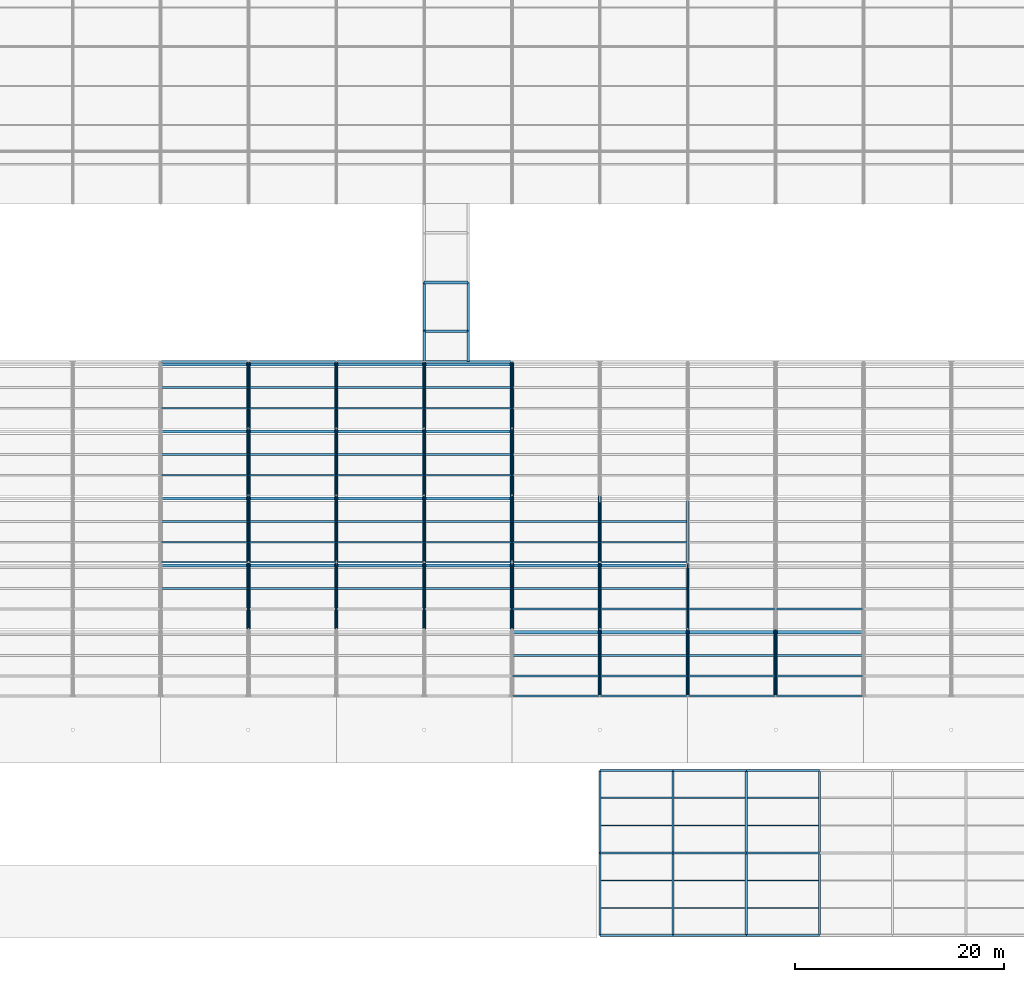
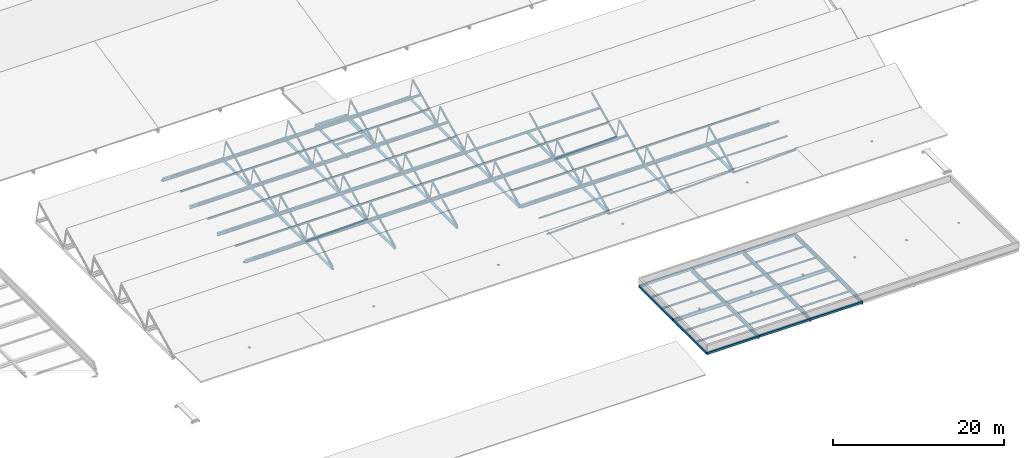
# One storey, part 2 of 194: 107 members, 97 beams.
"""IFC4 building model written with IfcOpenShell, lengths in metres."""

from ifc_helpers import new_model, si_unit, direction, frame, origin, origin_2d, place, context, subcontext, project, spatial, hollow_rectangle, hollow_circle, i_section, extrude, material, material_profile, profile_set, type_object, element, save


model = new_model("IFC4")

# Units and contexts
model_context = context("Model", 3, precision=1e-05, world=origin(), true_north=direction((0.0, 1.0)))
body_context = subcontext(model_context, "Body", "Model", "MODEL_VIEW")
ifc_project = project(units=[si_unit("LENGTHUNIT", "METRE"), si_unit("AREAUNIT", "SQUARE_METRE"), si_unit("VOLUMEUNIT", "CUBIC_METRE"), si_unit("PLANEANGLEUNIT", "RADIAN"), si_unit("MASSUNIT", "GRAM", prefix="KILO")], contexts=[model_context])

# Site, building, storey
site_placement = place(None, origin())
site = spatial("IfcSite", under=ifc_project, at=site_placement, CompositionType="ELEMENT")
building_placement = place(site_placement, origin())
building = spatial("IfcBuilding", under=site, at=building_placement, Name="Kazenagashi Tramway Depot", CompositionType="ELEMENT")
storey_placement = place(building_placement, frame((0.0, 0.0, 23.7)))
storey = spatial("IfcBuildingStorey", under=building, at=storey_placement, Name="ROOF", CompositionType="ELEMENT", Elevation=23.7)

# Members
ifc_material_1 = material(Name="Steel STKR400", Category="steel")
ifc_material_profile_1 = material_profile(ifc_material_1, hollow_rectangle(XDim=0.175, YDim=0.175, WallThickness=0.008, at=origin_2d()), Name="SHS-175x175x8")
ifc_profile_set_1 = profile_set([ifc_material_profile_1], Name="Steel STKR400")
member_type_1 = type_object("IfcMemberType", Name="BR-03", PredefinedType="BRACE", material=ifc_profile_set_1)
for number, where, z_axis, x_axis, name in (
    (1, (61.6, 35.7, -8.9), (0.999362854348, 0.0, 0.035691530512), (0.0, 1.0, 0.0), "Roof Truss BR-03 MEM-1233"),
    (2, (61.6, 54.9, -8.9), (0.999362854348, 0.0, 0.035691530512), (0.0, 1.0, 0.0), "Roof Truss BR-03 MEM-1234"),
    (3, (70.0, 35.7, -8.9), (0.999362854348, 0.0, 0.035691530512), (0.0, 1.0, 0.0), "Roof Truss BR-03 MEM-1262"),
    (4, (70.0, 54.9, -8.9), (0.999362854348, 0.0, 0.035691530512), (0.0, 1.0, 0.0), "Roof Truss BR-03 MEM-1263"),
    (5, (78.4, 35.7, -8.9), (0.999362854348, 0.0, 0.035691530512), (0.0, 1.0, 0.0), "Roof Truss BR-03 MEM-1291"),
    (6, (78.4, 54.9, -8.9), (0.999362854348, 0.0, 0.035691530512), (0.0, 1.0, 0.0), "Roof Truss BR-03 MEM-1292"),
    (7, (86.8, 35.7, -8.9), (0.999362854348, 0.0, 0.035691530512), (0.0, 1.0, 0.0), "Roof Truss BR-03 MEM-1320"),
    (8, (86.8, 54.9, -8.9), (0.999362854348, 0.0, 0.035691530512), (0.0, 1.0, 0.0), "Roof Truss BR-03 MEM-1321"),
    (9, (95.2, 22.9, -8.9), (0.999362854348, 0.0, 0.035691530512), (0.0, 1.0, 0.0), "Roof Truss BR-03 MEM-1348"),
    (10, (95.2, 35.7, -8.9), (0.999362854348, 0.0, 0.035691530512), (0.0, 1.0, 0.0), "Roof Truss BR-03 MEM-1349"),
    (11, (103.6, 22.9, -8.9), (0.999362854348, 0.0, 0.035691530512), (0.0, 1.0, 0.0), "Roof Truss BR-03 MEM-1377"),
    (12, (103.6, 35.7, -8.9), (0.999362854348, 0.0, 0.035691530512), (0.0, 1.0, 0.0), "Roof Truss BR-03 MEM-1378"),
    (13, (112.0, 22.9, -8.9), (0.999362854348, 0.0, 0.035691530512), (0.0, 1.0, 0.0), "Roof Truss BR-03 MEM-1406"),
    (14, (120.4, 22.9, -8.9), (0.999362854348, 0.0, 0.035691530512), (0.0, 1.0, 0.0), "Roof Truss BR-03 MEM-1435"),
):
    element("IfcMember", number, at=place(storey_placement, frame(where, z_axis=z_axis, x_axis=x_axis)), inside=storey, type_object=member_type_1, Name=name, PredefinedType="BRACE", context=body_context, shape_type="SweptSolid", body=[
        extrude(hollow_rectangle(XDim=0.175, YDim=0.175, WallThickness=0.008, at=origin_2d()), origin(), (0.0, 0.0, 1.0), 8.405355),
    ])

# Beams
ifc_material_2 = material(Name="Steel SN490B", Category="steel")
ifc_material_profile_2 = material_profile(ifc_material_2, i_section(OverallWidth=0.2, OverallDepth=0.5, WebThickness=0.01, FlangeThickness=0.016, at=origin_2d()), Name="H-500x200x10x16")
ifc_profile_set_2 = profile_set([ifc_material_profile_2], Name="Steel SN490B")
beam_type_1 = type_object("IfcBeamType", Name="G-05", PredefinedType="BEAM", material=ifc_profile_set_2)
for number, where, z_axis, x_axis, name in (
    (15, (103.6, 7.9, -15.05), (1.0, 0.0, 0.0), (0.0, 1.0, 0.0), "Beam G-05 BM-1651"),
    (16, (110.6, 7.9, -15.05), (1.0, 0.0, 0.0), (0.0, 1.0, 0.0), "Beam G-05 BM-1652"),
    (17, (117.6, 7.9, -15.05), (1.0, 0.0, 0.0), (0.0, 1.0, 0.0), "Beam G-05 BM-1653"),
):
    element("IfcBeam", number, at=place(storey_placement, frame(where, z_axis=z_axis, x_axis=x_axis)), inside=storey, type_object=beam_type_1, Name=name, PredefinedType="BEAM", context=body_context, shape_type="SweptSolid", body=[
        extrude(i_section(OverallWidth=0.2, OverallDepth=0.5, WebThickness=0.01, FlangeThickness=0.016, at=origin_2d()), origin(), (0.0, 0.0, 1.0), 7.0),
    ])
for number, where, z_axis, x_axis, name in (
    (18, (110.6, 0.0, -15.05), (0.0, 1.0, 0.0), (-1.0, 0.0, 0.0), "Beam G-05 BM-1669"),
    (19, (110.6, 7.9, -15.05), (0.0, 1.0, 0.0), (-1.0, 0.0, 0.0), "Beam G-05 BM-1672"),
    (20, (117.6, 0.0, -15.05), (0.0, 1.0, 0.0), (-1.0, 0.0, 0.0), "Beam G-05 BM-1675"),
    (21, (117.6, 7.9, -15.05), (0.0, 1.0, 0.0), (-1.0, 0.0, 0.0), "Beam G-05 BM-1678"),
    (22, (124.6, 0.0, -15.05), (0.0, 1.0, 0.0), (-1.0, 0.0, 0.0), "Beam G-05 BM-1681"),
    (23, (124.6, 7.9, -15.05), (0.0, 1.0, 0.0), (-1.0, 0.0, 0.0), "Beam G-05 BM-1684"),
):
    element("IfcBeam", number, at=place(storey_placement, frame(where, z_axis=z_axis, x_axis=x_axis)), inside=storey, type_object=beam_type_1, Name=name, PredefinedType="BEAM", context=body_context, shape_type="SweptSolid", body=[
        extrude(i_section(OverallWidth=0.2, OverallDepth=0.5, WebThickness=0.01, FlangeThickness=0.016, at=origin_2d()), origin(), (0.0, 0.0, 1.0), 7.9),
    ])
ifc_material_profile_3 = material_profile(ifc_material_2, i_section(OverallWidth=0.3, OverallDepth=0.44, WebThickness=0.011, FlangeThickness=0.018, at=origin_2d()), Name="H-440x300x11x18")
ifc_profile_set_3 = profile_set([ifc_material_profile_3], Name="Steel SN490B")
beam_type_2 = type_object("IfcBeamType", Name="G-06", PredefinedType="BEAM", material=ifc_profile_set_3)
for number, where, z_axis, x_axis, name in (
    (24, (95.2, 29.0, -8.62), (1.0, 0.0, 0.0), (0.0, 1.0, 0.0), "Beam G-06 BM-1936"),
    (25, (103.6, 29.0, -8.62), (1.0, 0.0, 0.0), (0.0, 1.0, 0.0), "Beam G-06 BM-1937"),
    (26, (112.0, 29.0, -8.62), (1.0, 0.0, 0.0), (0.0, 1.0, 0.0), "Beam G-06 BM-1938"),
    (27, (120.4, 29.0, -8.62), (1.0, 0.0, 0.0), (0.0, 1.0, 0.0), "Beam G-06 BM-1939"),
    (28, (61.6, 35.4, -8.62), (1.0, 0.0, 0.0), (0.0, 1.0, 0.0), "Beam G-06 BM-1944"),
    (29, (70.0, 35.4, -8.62), (1.0, 0.0, 0.0), (0.0, 1.0, 0.0), "Beam G-06 BM-1945"),
    (30, (78.4, 35.4, -8.62), (1.0, 0.0, 0.0), (0.0, 1.0, 0.0), "Beam G-06 BM-1946"),
    (31, (86.8, 35.4, -8.62), (1.0, 0.0, 0.0), (0.0, 1.0, 0.0), "Beam G-06 BM-1947"),
    (32, (95.2, 35.4, -8.62), (1.0, 0.0, 0.0), (0.0, 1.0, 0.0), "Beam G-06 BM-1948"),
    (33, (103.6, 35.4, -8.62), (1.0, 0.0, 0.0), (0.0, 1.0, 0.0), "Beam G-06 BM-1949"),
    (34, (61.6, 41.8, -8.62), (1.0, 0.0, 0.0), (0.0, 1.0, 0.0), "Beam G-06 BM-1956"),
    (35, (70.0, 41.8, -8.62), (1.0, 0.0, 0.0), (0.0, 1.0, 0.0), "Beam G-06 BM-1957"),
    (36, (78.4, 41.8, -8.62), (1.0, 0.0, 0.0), (0.0, 1.0, 0.0), "Beam G-06 BM-1958"),
    (37, (86.8, 41.8, -8.62), (1.0, 0.0, 0.0), (0.0, 1.0, 0.0), "Beam G-06 BM-1959"),
    (38, (61.6, 48.2, -8.62), (1.0, 0.0, 0.0), (0.0, 1.0, 0.0), "Beam G-06 BM-1968"),
    (39, (70.0, 48.2, -8.62), (1.0, 0.0, 0.0), (0.0, 1.0, 0.0), "Beam G-06 BM-1969"),
    (40, (78.4, 48.2, -8.62), (1.0, 0.0, 0.0), (0.0, 1.0, 0.0), "Beam G-06 BM-1970"),
    (41, (86.8, 48.2, -8.62), (1.0, 0.0, 0.0), (0.0, 1.0, 0.0), "Beam G-06 BM-1971"),
    (42, (61.6, 54.6, -8.62), (1.0, 0.0, 0.0), (0.0, 1.0, 0.0), "Beam G-06 BM-1980"),
    (43, (70.0, 54.6, -8.62), (1.0, 0.0, 0.0), (0.0, 1.0, 0.0), "Beam G-06 BM-1981"),
    (44, (78.4, 54.6, -8.62), (1.0, 0.0, 0.0), (0.0, 1.0, 0.0), "Beam G-06 BM-1982"),
    (45, (86.8, 54.6, -8.62), (1.0, 0.0, 0.0), (0.0, 1.0, 0.0), "Beam G-06 BM-1983"),
):
    element("IfcBeam", number, at=place(storey_placement, frame(where, z_axis=z_axis, x_axis=x_axis)), inside=storey, type_object=beam_type_2, Name=name, PredefinedType="BEAM", context=body_context, shape_type="SweptSolid", body=[
        extrude(i_section(OverallWidth=0.3, OverallDepth=0.44, WebThickness=0.011, FlangeThickness=0.018, at=origin_2d()), origin(), (0.0, 0.0, 1.0), 8.4),
    ])
ifc_material_3 = material(Name="Steel SN400B", Category="steel")
ifc_material_profile_4 = material_profile(ifc_material_3, i_section(OverallWidth=0.125, OverallDepth=0.25, WebThickness=0.006, FlangeThickness=0.009, at=origin_2d()), Name="H-250x125x6x9")
ifc_profile_set_4 = profile_set([ifc_material_profile_4], Name="Steel SN400B")
beam_type_3 = type_object("IfcBeamType", Name="J-03", PredefinedType="JOIST", material=ifc_profile_set_4)
for number, where, z_axis, x_axis, name in (
    (46, (103.7, 2.633, -14.925), (1.0, 0.0, 0.0), (0.0, 1.0, 0.0), "Beam J-03 BM-1664"),
    (47, (103.7, 5.267, -14.925), (1.0, 0.0, 0.0), (0.0, 1.0, 0.0), "Beam J-03 BM-1665"),
    (48, (103.7, 10.533, -14.925), (1.0, 0.0, 0.0), (0.0, 1.0, 0.0), "Beam J-03 BM-1667"),
    (49, (103.7, 13.167, -14.925), (1.0, 0.0, 0.0), (0.0, 1.0, 0.0), "Beam J-03 BM-1668"),
    (50, (110.7, 2.633, -14.925), (1.0, 0.0, 0.0), (0.0, 1.0, 0.0), "Beam J-03 BM-1670"),
    (51, (110.7, 5.267, -14.925), (1.0, 0.0, 0.0), (0.0, 1.0, 0.0), "Beam J-03 BM-1671"),
    (52, (110.7, 10.533, -14.925), (1.0, 0.0, 0.0), (0.0, 1.0, 0.0), "Beam J-03 BM-1673"),
    (53, (110.7, 13.167, -14.925), (1.0, 0.0, 0.0), (0.0, 1.0, 0.0), "Beam J-03 BM-1674"),
    (54, (117.7, 2.633, -14.925), (1.0, 0.0, 0.0), (0.0, 1.0, 0.0), "Beam J-03 BM-1676"),
    (55, (117.7, 5.267, -14.925), (1.0, 0.0, 0.0), (0.0, 1.0, 0.0), "Beam J-03 BM-1677"),
    (56, (117.7, 10.533, -14.925), (1.0, 0.0, 0.0), (0.0, 1.0, 0.0), "Beam J-03 BM-1679"),
    (57, (117.7, 13.167, -14.925), (1.0, 0.0, 0.0), (0.0, 1.0, 0.0), "Beam J-03 BM-1680"),
):
    element("IfcBeam", number, at=place(storey_placement, frame(where, z_axis=z_axis, x_axis=x_axis)), inside=storey, type_object=beam_type_3, Name=name, PredefinedType="JOIST", context=body_context, shape_type="SweptSolid", body=[
        extrude(i_section(OverallWidth=0.125, OverallDepth=0.25, WebThickness=0.006, FlangeThickness=0.009, at=origin_2d()), origin(), (0.0, 0.0, 1.0), 6.8),
    ])
ifc_material_profile_5 = material_profile(ifc_material_3, i_section(OverallWidth=0.175, OverallDepth=0.175, WebThickness=0.0075, FlangeThickness=0.011, at=origin_2d()), Name="H-175x175x7.5x11")
ifc_profile_set_5 = profile_set([ifc_material_profile_5], Name="Steel SN400B")
beam_type_4 = type_object("IfcBeamType", Name="PR-02", PredefinedType="USERDEFINED", material=ifc_profile_set_5)
for number, where, z_axis, x_axis, name in (
    (58, (95.2, 24.814, -7.775), (1.0, 0.0, 0.0), (0.0, 1.0, 0.0), "Beam PR-02 BM-2240"),
    (59, (103.6, 24.814, -7.775), (1.0, 0.0, 0.0), (0.0, 1.0, 0.0), "Beam PR-02 BM-2241"),
    (60, (112.0, 24.814, -7.775), (1.0, 0.0, 0.0), (0.0, 1.0, 0.0), "Beam PR-02 BM-2242"),
    (61, (120.4, 24.814, -7.775), (1.0, 0.0, 0.0), (0.0, 1.0, 0.0), "Beam PR-02 BM-2243"),
    (62, (95.2, 31.214, -7.775), (1.0, 0.0, 0.0), (0.0, 1.0, 0.0), "Beam PR-02 BM-2264"),
    (63, (103.6, 31.214, -7.775), (1.0, 0.0, 0.0), (0.0, 1.0, 0.0), "Beam PR-02 BM-2265"),
    (64, (112.0, 31.214, -7.775), (1.0, 0.0, 0.0), (0.0, 1.0, 0.0), "Beam PR-02 BM-2266"),
    (65, (120.4, 31.214, -7.775), (1.0, 0.0, 0.0), (0.0, 1.0, 0.0), "Beam PR-02 BM-2267"),
    (66, (61.6, 37.614, -7.775), (1.0, 0.0, 0.0), (0.0, 1.0, 0.0), "Beam PR-02 BM-2284"),
    (67, (70.0, 37.614, -7.775), (1.0, 0.0, 0.0), (0.0, 1.0, 0.0), "Beam PR-02 BM-2285"),
    (68, (78.4, 37.614, -7.775), (1.0, 0.0, 0.0), (0.0, 1.0, 0.0), "Beam PR-02 BM-2286"),
    (69, (86.8, 37.614, -7.775), (1.0, 0.0, 0.0), (0.0, 1.0, 0.0), "Beam PR-02 BM-2287"),
    (70, (95.2, 37.614, -7.775), (1.0, 0.0, 0.0), (0.0, 1.0, 0.0), "Beam PR-02 BM-2288"),
    (71, (103.6, 37.614, -7.775), (1.0, 0.0, 0.0), (0.0, 1.0, 0.0), "Beam PR-02 BM-2289"),
    (72, (61.6, 44.014, -7.775), (1.0, 0.0, 0.0), (0.0, 1.0, 0.0), "Beam PR-02 BM-2308"),
    (73, (70.0, 44.014, -7.775), (1.0, 0.0, 0.0), (0.0, 1.0, 0.0), "Beam PR-02 BM-2309"),
    (74, (78.4, 44.014, -7.775), (1.0, 0.0, 0.0), (0.0, 1.0, 0.0), "Beam PR-02 BM-2310"),
    (75, (86.8, 44.014, -7.775), (1.0, 0.0, 0.0), (0.0, 1.0, 0.0), "Beam PR-02 BM-2311"),
    (76, (61.6, 50.414, -7.775), (1.0, 0.0, 0.0), (0.0, 1.0, 0.0), "Beam PR-02 BM-2332"),
    (77, (70.0, 50.414, -7.775), (1.0, 0.0, 0.0), (0.0, 1.0, 0.0), "Beam PR-02 BM-2333"),
    (78, (78.4, 50.414, -7.775), (1.0, 0.0, 0.0), (0.0, 1.0, 0.0), "Beam PR-02 BM-2334"),
    (79, (86.8, 50.414, -7.775), (1.0, 0.0, 0.0), (0.0, 1.0, 0.0), "Beam PR-02 BM-2335"),
):
    element("IfcBeam", number, at=place(storey_placement, frame(where, z_axis=z_axis, x_axis=x_axis)), inside=storey, type_object=beam_type_4, Name=name, ObjectType="PURLIN", PredefinedType="USERDEFINED", context=body_context, shape_type="SweptSolid", body=[
        extrude(i_section(OverallWidth=0.175, OverallDepth=0.175, WebThickness=0.0075, FlangeThickness=0.011, at=origin_2d()), origin(), (0.0, 0.0, 1.0), 8.4),
    ])
ifc_material_profile_6 = material_profile(ifc_material_2, i_section(OverallWidth=0.2, OverallDepth=0.294, WebThickness=0.008, FlangeThickness=0.012, at=origin_2d()), Name="H-294x200x8x12")
ifc_profile_set_6 = profile_set([ifc_material_profile_6], Name="Steel SN490B")
beam_type_5 = type_object("IfcBeamType", Name="PR-03", PredefinedType="USERDEFINED", material=ifc_profile_set_6)
for number, where, z_axis, x_axis, name in (
    (80, (95.2, 26.786, -6.873), (1.0, 0.0, 0.0), (0.0, 1.0, 0.0), "Beam PR-03 BM-2252"),
    (81, (103.6, 26.786, -6.873), (1.0, 0.0, 0.0), (0.0, 1.0, 0.0), "Beam PR-03 BM-2253"),
    (82, (112.0, 26.786, -6.873), (1.0, 0.0, 0.0), (0.0, 1.0, 0.0), "Beam PR-03 BM-2254"),
    (83, (120.4, 26.786, -6.873), (1.0, 0.0, 0.0), (0.0, 1.0, 0.0), "Beam PR-03 BM-2255"),
    (84, (61.6, 33.186, -6.873), (1.0, 0.0, 0.0), (0.0, 1.0, 0.0), "Beam PR-03 BM-2272"),
    (85, (70.0, 33.186, -6.873), (1.0, 0.0, 0.0), (0.0, 1.0, 0.0), "Beam PR-03 BM-2273"),
    (86, (78.4, 33.186, -6.873), (1.0, 0.0, 0.0), (0.0, 1.0, 0.0), "Beam PR-03 BM-2274"),
    (87, (86.8, 33.186, -6.873), (1.0, 0.0, 0.0), (0.0, 1.0, 0.0), "Beam PR-03 BM-2275"),
    (88, (95.2, 33.186, -6.873), (1.0, 0.0, 0.0), (0.0, 1.0, 0.0), "Beam PR-03 BM-2276"),
    (89, (103.6, 33.186, -6.873), (1.0, 0.0, 0.0), (0.0, 1.0, 0.0), "Beam PR-03 BM-2277"),
    (90, (61.6, 39.586, -6.873), (1.0, 0.0, 0.0), (0.0, 1.0, 0.0), "Beam PR-03 BM-2296"),
    (91, (70.0, 39.586, -6.873), (1.0, 0.0, 0.0), (0.0, 1.0, 0.0), "Beam PR-03 BM-2297"),
    (92, (78.4, 39.586, -6.873), (1.0, 0.0, 0.0), (0.0, 1.0, 0.0), "Beam PR-03 BM-2298"),
    (93, (86.8, 39.586, -6.873), (1.0, 0.0, 0.0), (0.0, 1.0, 0.0), "Beam PR-03 BM-2299"),
    (94, (95.2, 39.586, -6.873), (1.0, 0.0, 0.0), (0.0, 1.0, 0.0), "Beam PR-03 BM-2300"),
    (95, (103.6, 39.586, -6.873), (1.0, 0.0, 0.0), (0.0, 1.0, 0.0), "Beam PR-03 BM-2301"),
    (96, (61.6, 45.986, -6.873), (1.0, 0.0, 0.0), (0.0, 1.0, 0.0), "Beam PR-03 BM-2320"),
    (97, (70.0, 45.986, -6.873), (1.0, 0.0, 0.0), (0.0, 1.0, 0.0), "Beam PR-03 BM-2321"),
    (98, (78.4, 45.986, -6.873), (1.0, 0.0, 0.0), (0.0, 1.0, 0.0), "Beam PR-03 BM-2322"),
    (99, (86.8, 45.986, -6.873), (1.0, 0.0, 0.0), (0.0, 1.0, 0.0), "Beam PR-03 BM-2323"),
    (100, (61.6, 52.386, -6.873), (1.0, 0.0, 0.0), (0.0, 1.0, 0.0), "Beam PR-03 BM-2344"),
    (101, (70.0, 52.386, -6.873), (1.0, 0.0, 0.0), (0.0, 1.0, 0.0), "Beam PR-03 BM-2345"),
    (102, (78.4, 52.386, -6.873), (1.0, 0.0, 0.0), (0.0, 1.0, 0.0), "Beam PR-03 BM-2346"),
    (103, (86.8, 52.386, -6.873), (1.0, 0.0, 0.0), (0.0, 1.0, 0.0), "Beam PR-03 BM-2347"),
):
    element("IfcBeam", number, at=place(storey_placement, frame(where, z_axis=z_axis, x_axis=x_axis)), inside=storey, type_object=beam_type_5, Name=name, ObjectType="PURLIN", PredefinedType="USERDEFINED", context=body_context, shape_type="SweptSolid", body=[
        extrude(i_section(OverallWidth=0.2, OverallDepth=0.294, WebThickness=0.008, FlangeThickness=0.012, at=origin_2d()), origin(), (0.0, 0.0, 1.0), 8.4),
    ])
ifc_material_4 = material(Name="Steel STKR490", Category="steel")
ifc_material_profile_7 = material_profile(ifc_material_4, hollow_rectangle(XDim=0.2, YDim=0.3, WallThickness=0.009, at=origin_2d()), Name="RHS-300x200x9")
ifc_profile_set_7 = profile_set([ifc_material_profile_7], Name="Steel STKR490")
beam_type_6 = type_object("IfcBeamType", Name="SP-03", PredefinedType="SPANDREL", material=ifc_profile_set_7)
for number, where, z_axis, x_axis, name in (
    (104, (103.6, 0.0, -14.95), (1.0, 0.0, 0.0), (0.0, 1.0, 0.0), "Beam SP-03 BM-1645"),
    (105, (110.6, 0.0, -14.95), (1.0, 0.0, 0.0), (0.0, 1.0, 0.0), "Beam SP-03 BM-1646"),
    (106, (117.6, 0.0, -14.95), (1.0, 0.0, 0.0), (0.0, 1.0, 0.0), "Beam SP-03 BM-1647"),
    (107, (103.6, 15.8, -14.95), (1.0, 0.0, 0.0), (0.0, 1.0, 0.0), "Beam SP-03 BM-1657"),
    (108, (110.6, 15.8, -14.95), (1.0, 0.0, 0.0), (0.0, 1.0, 0.0), "Beam SP-03 BM-1658"),
    (109, (117.6, 15.8, -14.95), (1.0, 0.0, 0.0), (0.0, 1.0, 0.0), "Beam SP-03 BM-1659"),
):
    element("IfcBeam", number, at=place(storey_placement, frame(where, z_axis=z_axis, x_axis=x_axis)), inside=storey, type_object=beam_type_6, Name=name, PredefinedType="SPANDREL", context=body_context, shape_type="SweptSolid", body=[
        extrude(hollow_rectangle(XDim=0.2, YDim=0.3, WallThickness=0.009, at=origin_2d()), origin(), (0.0, 0.0, 1.0), 7.0),
    ])
for number, where, z_axis, x_axis, name in (
    (110, (103.6, 0.0, -14.95), (0.0, 1.0, 0.0), (-1.0, 0.0, 0.0), "Beam SP-03 BM-1663"),
    (111, (103.6, 7.9, -14.95), (0.0, 1.0, 0.0), (-1.0, 0.0, 0.0), "Beam SP-03 BM-1666"),
):
    element("IfcBeam", number, at=place(storey_placement, frame(where, z_axis=z_axis, x_axis=x_axis)), inside=storey, type_object=beam_type_6, Name=name, PredefinedType="SPANDREL", context=body_context, shape_type="SweptSolid", body=[
        extrude(hollow_rectangle(XDim=0.2, YDim=0.3, WallThickness=0.009, at=origin_2d()), origin(), (0.0, 0.0, 1.0), 7.9),
    ])

# Members
ifc_material_5 = material(Name="Steel STK490", Category="steel")
ifc_material_profile_8 = material_profile(ifc_material_5, hollow_circle(Radius=0.1337, WallThickness=0.0093, at=origin_2d()), Name="CHS-267.4x9.3")
ifc_profile_set_8 = profile_set([ifc_material_profile_8], Name="Steel STK490")
member_type_2 = type_object("IfcMemberType", Name="TC-01", PredefinedType="CHORD", material=ifc_profile_set_8)
for number, where, z_axis, x_axis, name in (
    (112, (70.0, 29.3, -8.6), (0.0, 0.903579167632, 0.428421157067), (-1.0, 0.0, 0.0), "Roof Truss TC-01 MEM-1241"),
    (113, (70.0, 35.7, -8.6), (0.0, 0.903579167632, 0.428421157067), (-1.0, 0.0, 0.0), "Roof Truss TC-01 MEM-1246"),
    (114, (70.0, 42.1, -8.6), (0.0, 0.903579167632, 0.428421157067), (-1.0, 0.0, 0.0), "Roof Truss TC-01 MEM-1251"),
    (115, (70.0, 48.5, -8.6), (0.0, 0.903579167632, 0.428421157067), (-1.0, 0.0, 0.0), "Roof Truss TC-01 MEM-1256"),
    (116, (78.4, 29.3, -8.6), (0.0, 0.903579167632, 0.428421157067), (-1.0, 0.0, 0.0), "Roof Truss TC-01 MEM-1270"),
    (117, (78.4, 35.7, -8.6), (0.0, 0.903579167632, 0.428421157067), (-1.0, 0.0, 0.0), "Roof Truss TC-01 MEM-1275"),
    (118, (78.4, 42.1, -8.6), (0.0, 0.903579167632, 0.428421157067), (-1.0, 0.0, 0.0), "Roof Truss TC-01 MEM-1280"),
    (119, (78.4, 48.5, -8.6), (0.0, 0.903579167632, 0.428421157067), (-1.0, 0.0, 0.0), "Roof Truss TC-01 MEM-1285"),
    (120, (86.8, 29.3, -8.6), (0.0, 0.903579167632, 0.428421157067), (-1.0, 0.0, 0.0), "Roof Truss TC-01 MEM-1299"),
    (121, (86.8, 35.7, -8.6), (0.0, 0.903579167632, 0.428421157067), (-1.0, 0.0, 0.0), "Roof Truss TC-01 MEM-1304"),
    (122, (86.8, 42.1, -8.6), (0.0, 0.903579167632, 0.428421157067), (-1.0, 0.0, 0.0), "Roof Truss TC-01 MEM-1309"),
    (123, (86.8, 48.5, -8.6), (0.0, 0.903579167632, 0.428421157067), (-1.0, 0.0, 0.0), "Roof Truss TC-01 MEM-1314"),
    (124, (95.2, 29.3, -8.6), (0.0, 0.903579167632, 0.428421157067), (-1.0, 0.0, 0.0), "Roof Truss TC-01 MEM-1328"),
    (125, (95.2, 35.7, -8.6), (0.0, 0.903579167632, 0.428421157067), (-1.0, 0.0, 0.0), "Roof Truss TC-01 MEM-1333"),
    (126, (95.2, 42.1, -8.6), (0.0, 0.903579167632, 0.428421157067), (-1.0, 0.0, 0.0), "Roof Truss TC-01 MEM-1338"),
    (127, (95.2, 48.5, -8.6), (0.0, 0.903579167632, 0.428421157067), (-1.0, 0.0, 0.0), "Roof Truss TC-01 MEM-1343"),
    (128, (103.6, 22.9, -8.6), (0.0, 0.903579167632, 0.428421157067), (-1.0, 0.0, 0.0), "Roof Truss TC-01 MEM-1352"),
    (129, (103.6, 29.3, -8.6), (0.0, 0.903579167632, 0.428421157067), (-1.0, 0.0, 0.0), "Roof Truss TC-01 MEM-1357"),
    (130, (103.6, 35.7, -8.6), (0.0, 0.903579167632, 0.428421157067), (-1.0, 0.0, 0.0), "Roof Truss TC-01 MEM-1362"),
    (131, (112.0, 22.9, -8.6), (0.0, 0.903579167632, 0.428421157067), (-1.0, 0.0, 0.0), "Roof Truss TC-01 MEM-1381"),
    (132, (112.0, 29.3, -8.6), (0.0, 0.903579167632, 0.428421157067), (-1.0, 0.0, 0.0), "Roof Truss TC-01 MEM-1386"),
    (133, (112.0, 35.7, -8.6), (0.0, 0.903579167632, 0.428421157067), (-1.0, 0.0, 0.0), "Roof Truss TC-01 MEM-1391"),
    (134, (120.4, 22.9, -8.6), (0.0, 0.903579167632, 0.428421157067), (-1.0, 0.0, 0.0), "Roof Truss TC-01 MEM-1410"),
):
    element("IfcMember", number, at=place(storey_placement, frame(where, z_axis=z_axis, x_axis=x_axis)), inside=storey, type_object=member_type_2, Name=name, PredefinedType="CHORD", context=body_context, shape_type="SweptSolid", body=[
        extrude(hollow_circle(Radius=0.1337, WallThickness=0.0093, at=origin_2d()), origin(), (0.0, 0.0, 1.0), 6.418917),
    ])
ifc_material_profile_9 = material_profile(ifc_material_5, hollow_circle(Radius=0.1778, WallThickness=0.0127, at=origin_2d()), Name="CHS-355.6x12.7")
ifc_profile_set_9 = profile_set([ifc_material_profile_9], Name="Steel STK490")
member_type_3 = type_object("IfcMemberType", Name="TC-03", PredefinedType="CHORD", material=ifc_profile_set_9)
for number, where, z_axis, x_axis, name in (
    (135, (70.0, 29.3, -8.9), (0.0, 1.0, 0.0), (-1.0, 0.0, 0.0), "Roof Truss TC-03 MEM-1240"),
    (136, (70.0, 35.7, -8.9), (0.0, 1.0, 0.0), (-1.0, 0.0, 0.0), "Roof Truss TC-03 MEM-1245"),
    (137, (70.0, 42.1, -8.9), (0.0, 1.0, 0.0), (-1.0, 0.0, 0.0), "Roof Truss TC-03 MEM-1250"),
    (138, (70.0, 48.5, -8.9), (0.0, 1.0, 0.0), (-1.0, 0.0, 0.0), "Roof Truss TC-03 MEM-1255"),
    (139, (78.4, 29.3, -8.9), (0.0, 1.0, 0.0), (-1.0, 0.0, 0.0), "Roof Truss TC-03 MEM-1269"),
    (140, (78.4, 35.7, -8.9), (0.0, 1.0, 0.0), (-1.0, 0.0, 0.0), "Roof Truss TC-03 MEM-1274"),
    (141, (78.4, 42.1, -8.9), (0.0, 1.0, 0.0), (-1.0, 0.0, 0.0), "Roof Truss TC-03 MEM-1279"),
    (142, (78.4, 48.5, -8.9), (0.0, 1.0, 0.0), (-1.0, 0.0, 0.0), "Roof Truss TC-03 MEM-1284"),
    (143, (86.8, 29.3, -8.9), (0.0, 1.0, 0.0), (-1.0, 0.0, 0.0), "Roof Truss TC-03 MEM-1298"),
    (144, (86.8, 35.7, -8.9), (0.0, 1.0, 0.0), (-1.0, 0.0, 0.0), "Roof Truss TC-03 MEM-1303"),
    (145, (86.8, 42.1, -8.9), (0.0, 1.0, 0.0), (-1.0, 0.0, 0.0), "Roof Truss TC-03 MEM-1308"),
    (146, (86.8, 48.5, -8.9), (0.0, 1.0, 0.0), (-1.0, 0.0, 0.0), "Roof Truss TC-03 MEM-1313"),
    (147, (95.2, 29.3, -8.9), (0.0, 1.0, 0.0), (-1.0, 0.0, 0.0), "Roof Truss TC-03 MEM-1327"),
    (148, (95.2, 35.7, -8.9), (0.0, 1.0, 0.0), (-1.0, 0.0, 0.0), "Roof Truss TC-03 MEM-1332"),
    (149, (95.2, 42.1, -8.9), (0.0, 1.0, 0.0), (-1.0, 0.0, 0.0), "Roof Truss TC-03 MEM-1337"),
    (150, (95.2, 48.5, -8.9), (0.0, 1.0, 0.0), (-1.0, 0.0, 0.0), "Roof Truss TC-03 MEM-1342"),
    (151, (103.6, 22.9, -8.9), (0.0, 1.0, 0.0), (-1.0, 0.0, 0.0), "Roof Truss TC-03 MEM-1351"),
    (152, (103.6, 29.3, -8.9), (0.0, 1.0, 0.0), (-1.0, 0.0, 0.0), "Roof Truss TC-03 MEM-1356"),
    (153, (103.6, 35.7, -8.9), (0.0, 1.0, 0.0), (-1.0, 0.0, 0.0), "Roof Truss TC-03 MEM-1361"),
    (154, (112.0, 22.9, -8.9), (0.0, 1.0, 0.0), (-1.0, 0.0, 0.0), "Roof Truss TC-03 MEM-1380"),
    (155, (120.4, 22.9, -8.9), (0.0, 1.0, 0.0), (-1.0, 0.0, 0.0), "Roof Truss TC-03 MEM-1409"),
):
    element("IfcMember", number, at=place(storey_placement, frame(where, z_axis=z_axis, x_axis=x_axis)), inside=storey, type_object=member_type_3, Name=name, PredefinedType="CHORD", context=body_context, shape_type="SweptSolid", body=[
        extrude(hollow_circle(Radius=0.1778, WallThickness=0.0127, at=origin_2d()), origin(), (0.0, 0.0, 1.0), 6.4),
    ])
ifc_material_6 = material(Name="Weathering Steel SMA490W", Category="steel")
ifc_material_profile_10 = material_profile(ifc_material_6, hollow_rectangle(XDim=0.25, YDim=0.25, WallThickness=0.009, at=origin_2d()), Name="SHS-250x250x9")
ifc_profile_set_10 = profile_set([ifc_material_profile_10], Name="Weathering Steel SMA490W")
member_type_4 = type_object("IfcMemberType", Name="TC-04", PredefinedType="CHORD", material=ifc_profile_set_10)
member_1_placement = place(storey_placement, frame((86.8, 54.9, -14.39), z_axis=(0.0, 1.0, 0.0), x_axis=(-1.0, 0.0, 0.0)))
element("IfcMember", 156, at=member_1_placement, inside=storey, type_object=member_type_4, Name="Link Bridge Truss TC-04 MEM-1561", PredefinedType="CHORD", context=body_context, shape_type="SweptSolid", body=[
    extrude(hollow_rectangle(XDim=0.25, YDim=0.25, WallThickness=0.009, at=origin_2d()), origin(), (0.0, 0.0, 1.0), 2.9),
])
member_2_placement = place(storey_placement, frame((86.8, 57.8, -14.39), z_axis=(0.0, 1.0, 0.0), x_axis=(-1.0, 0.0, 0.0)))
element("IfcMember", 157, at=member_2_placement, inside=storey, type_object=member_type_4, Name="Link Bridge Truss TC-04 MEM-1564", PredefinedType="CHORD", context=body_context, shape_type="SweptSolid", body=[
    extrude(hollow_rectangle(XDim=0.25, YDim=0.25, WallThickness=0.009, at=origin_2d()), origin(), (0.0, 0.0, 1.0), 4.65),
])
member_3_placement = place(storey_placement, frame((91.0, 54.9, -14.39), z_axis=(0.0, 1.0, 0.0), x_axis=(-1.0, 0.0, 0.0)))
element("IfcMember", 158, at=member_3_placement, inside=storey, type_object=member_type_4, Name="Link Bridge Truss TC-04 MEM-1573", PredefinedType="CHORD", context=body_context, shape_type="SweptSolid", body=[
    extrude(hollow_rectangle(XDim=0.25, YDim=0.25, WallThickness=0.009, at=origin_2d()), origin(), (0.0, 0.0, 1.0), 2.9),
])
member_4_placement = place(storey_placement, frame((91.0, 57.8, -14.39), z_axis=(0.0, 1.0, 0.0), x_axis=(-1.0, 0.0, 0.0)))
element("IfcMember", 159, at=member_4_placement, inside=storey, type_object=member_type_4, Name="Link Bridge Truss TC-04 MEM-1576", PredefinedType="CHORD", context=body_context, shape_type="SweptSolid", body=[
    extrude(hollow_rectangle(XDim=0.25, YDim=0.25, WallThickness=0.009, at=origin_2d()), origin(), (0.0, 0.0, 1.0), 4.65),
])
for number, where, z_axis, x_axis, name in (
    (160, (86.8, 57.8, -14.39), (1.0, 0.0, 0.0), (0.0, 1.0, 0.0), "Link Bridge Truss TC-04 MEM-1585"),
    (161, (86.8, 62.45, -14.39), (1.0, 0.0, 0.0), (0.0, 1.0, 0.0), "Link Bridge Truss TC-04 MEM-1587"),
):
    element("IfcMember", number, at=place(storey_placement, frame(where, z_axis=z_axis, x_axis=x_axis)), inside=storey, type_object=member_type_4, Name=name, PredefinedType="CHORD", context=body_context, shape_type="SweptSolid", body=[
        extrude(hollow_rectangle(XDim=0.25, YDim=0.25, WallThickness=0.009, at=origin_2d()), origin(), (0.0, 0.0, 1.0), 4.2),
    ])
ifc_material_profile_11 = material_profile(ifc_material_5, hollow_circle(Radius=0.0826, WallThickness=0.0071, at=origin_2d()), Name="CHS-165.2x7.1")
ifc_profile_set_11 = profile_set([ifc_material_profile_11], Name="Steel STK490")
member_type_5 = type_object("IfcMemberType", Name="TS-01", PredefinedType="STRUT", material=ifc_profile_set_11)
for number, where, z_axis, x_axis, name in (
    (162, (70.0, 35.1, -5.85), (0.0, 0.213167075217, -0.97701576141), (-1.0, 0.0, 0.0), "Roof Truss TS-01 MEM-1242"),
    (163, (70.0, 41.5, -5.85), (0.0, 0.213167075217, -0.97701576141), (-1.0, 0.0, 0.0), "Roof Truss TS-01 MEM-1247"),
    (164, (70.0, 47.9, -5.85), (0.0, 0.213167075217, -0.97701576141), (-1.0, 0.0, 0.0), "Roof Truss TS-01 MEM-1252"),
    (165, (70.0, 54.3, -5.85), (0.0, 0.213167075217, -0.97701576141), (-1.0, 0.0, 0.0), "Roof Truss TS-01 MEM-1257"),
    (166, (78.4, 35.1, -5.85), (0.0, 0.213167075217, -0.97701576141), (-1.0, 0.0, 0.0), "Roof Truss TS-01 MEM-1271"),
    (167, (78.4, 41.5, -5.85), (0.0, 0.213167075217, -0.97701576141), (-1.0, 0.0, 0.0), "Roof Truss TS-01 MEM-1276"),
    (168, (78.4, 47.9, -5.85), (0.0, 0.213167075217, -0.97701576141), (-1.0, 0.0, 0.0), "Roof Truss TS-01 MEM-1281"),
    (169, (78.4, 54.3, -5.85), (0.0, 0.213167075217, -0.97701576141), (-1.0, 0.0, 0.0), "Roof Truss TS-01 MEM-1286"),
    (170, (86.8, 35.1, -5.85), (0.0, 0.213167075217, -0.97701576141), (-1.0, 0.0, 0.0), "Roof Truss TS-01 MEM-1300"),
    (171, (86.8, 41.5, -5.85), (0.0, 0.213167075217, -0.97701576141), (-1.0, 0.0, 0.0), "Roof Truss TS-01 MEM-1305"),
    (172, (86.8, 47.9, -5.85), (0.0, 0.213167075217, -0.97701576141), (-1.0, 0.0, 0.0), "Roof Truss TS-01 MEM-1310"),
    (173, (86.8, 54.3, -5.85), (0.0, 0.213167075217, -0.97701576141), (-1.0, 0.0, 0.0), "Roof Truss TS-01 MEM-1315"),
    (174, (95.2, 35.1, -5.85), (0.0, 0.213167075217, -0.97701576141), (-1.0, 0.0, 0.0), "Roof Truss TS-01 MEM-1329"),
    (175, (95.2, 41.5, -5.85), (0.0, 0.213167075217, -0.97701576141), (-1.0, 0.0, 0.0), "Roof Truss TS-01 MEM-1334"),
    (176, (95.2, 47.9, -5.85), (0.0, 0.213167075217, -0.97701576141), (-1.0, 0.0, 0.0), "Roof Truss TS-01 MEM-1339"),
    (177, (95.2, 54.3, -5.85), (0.0, 0.213167075217, -0.97701576141), (-1.0, 0.0, 0.0), "Roof Truss TS-01 MEM-1344"),
    (178, (103.6, 28.7, -5.85), (0.0, 0.213167075217, -0.97701576141), (-1.0, 0.0, 0.0), "Roof Truss TS-01 MEM-1353"),
    (179, (103.6, 35.1, -5.85), (0.0, 0.213167075217, -0.97701576141), (-1.0, 0.0, 0.0), "Roof Truss TS-01 MEM-1358"),
    (180, (112.0, 28.7, -5.85), (0.0, 0.213167075217, -0.97701576141), (-1.0, 0.0, 0.0), "Roof Truss TS-01 MEM-1382"),
    (181, (112.0, 35.1, -5.85), (0.0, 0.213167075217, -0.97701576141), (-1.0, 0.0, 0.0), "Roof Truss TS-01 MEM-1387"),
    (182, (120.4, 28.7, -5.85), (0.0, 0.213167075217, -0.97701576141), (-1.0, 0.0, 0.0), "Roof Truss TS-01 MEM-1411"),
):
    element("IfcMember", number, at=place(storey_placement, frame(where, z_axis=z_axis, x_axis=x_axis)), inside=storey, type_object=member_type_5, Name=name, PredefinedType="STRUT", context=body_context, shape_type="SweptSolid", body=[
        extrude(hollow_circle(Radius=0.0826, WallThickness=0.0071, at=origin_2d()), origin(), (0.0, 0.0, 1.0), 2.814694),
    ])
ifc_material_profile_12 = material_profile(ifc_material_5, hollow_circle(Radius=0.0699, WallThickness=0.0066, at=origin_2d()), Name="CHS-139.8x6.6")
ifc_profile_set_12 = profile_set([ifc_material_profile_12], Name="Steel STK490")
member_type_6 = type_object("IfcMemberType", Name="TS-02", PredefinedType="STRUT", material=ifc_profile_set_12)
for number, where, z_axis, x_axis, name in (
    (183, (70.0, 29.3, -8.9), (0.0, 0.885083676955, 0.465431933571), (-1.0, 0.0, 0.0), "Roof Truss TS-02 MEM-1244"),
    (184, (70.0, 35.7, -8.9), (0.0, 0.885083676955, 0.465431933571), (-1.0, 0.0, 0.0), "Roof Truss TS-02 MEM-1249"),
    (185, (70.0, 42.1, -8.9), (0.0, 0.885083676955, 0.465431933571), (-1.0, 0.0, 0.0), "Roof Truss TS-02 MEM-1254"),
    (186, (70.0, 48.5, -8.9), (0.0, 0.885083676955, 0.465431933571), (-1.0, 0.0, 0.0), "Roof Truss TS-02 MEM-1259"),
    (187, (78.4, 29.3, -8.9), (0.0, 0.885083676955, 0.465431933571), (-1.0, 0.0, 0.0), "Roof Truss TS-02 MEM-1273"),
    (188, (78.4, 35.7, -8.9), (0.0, 0.885083676955, 0.465431933571), (-1.0, 0.0, 0.0), "Roof Truss TS-02 MEM-1278"),
    (189, (78.4, 42.1, -8.9), (0.0, 0.885083676955, 0.465431933571), (-1.0, 0.0, 0.0), "Roof Truss TS-02 MEM-1283"),
    (190, (78.4, 48.5, -8.9), (0.0, 0.885083676955, 0.465431933571), (-1.0, 0.0, 0.0), "Roof Truss TS-02 MEM-1288"),
    (191, (86.8, 29.3, -8.9), (0.0, 0.885083676955, 0.465431933571), (-1.0, 0.0, 0.0), "Roof Truss TS-02 MEM-1302"),
    (192, (86.8, 35.7, -8.9), (0.0, 0.885083676955, 0.465431933571), (-1.0, 0.0, 0.0), "Roof Truss TS-02 MEM-1307"),
    (193, (86.8, 42.1, -8.9), (0.0, 0.885083676955, 0.465431933571), (-1.0, 0.0, 0.0), "Roof Truss TS-02 MEM-1312"),
    (194, (86.8, 48.5, -8.9), (0.0, 0.885083676955, 0.465431933571), (-1.0, 0.0, 0.0), "Roof Truss TS-02 MEM-1317"),
    (195, (95.2, 29.3, -8.9), (0.0, 0.885083676955, 0.465431933571), (-1.0, 0.0, 0.0), "Roof Truss TS-02 MEM-1331"),
    (196, (95.2, 35.7, -8.9), (0.0, 0.885083676955, 0.465431933571), (-1.0, 0.0, 0.0), "Roof Truss TS-02 MEM-1336"),
    (197, (95.2, 42.1, -8.9), (0.0, 0.885083676955, 0.465431933571), (-1.0, 0.0, 0.0), "Roof Truss TS-02 MEM-1341"),
    (198, (95.2, 48.5, -8.9), (0.0, 0.885083676955, 0.465431933571), (-1.0, 0.0, 0.0), "Roof Truss TS-02 MEM-1346"),
    (199, (103.6, 22.9, -8.9), (0.0, 0.885083676955, 0.465431933571), (-1.0, 0.0, 0.0), "Roof Truss TS-02 MEM-1355"),
    (200, (103.6, 29.3, -8.9), (0.0, 0.885083676955, 0.465431933571), (-1.0, 0.0, 0.0), "Roof Truss TS-02 MEM-1360"),
    (201, (103.6, 35.7, -8.9), (0.0, 0.885083676955, 0.465431933571), (-1.0, 0.0, 0.0), "Roof Truss TS-02 MEM-1365"),
    (202, (112.0, 22.9, -8.9), (0.0, 0.885083676955, 0.465431933571), (-1.0, 0.0, 0.0), "Roof Truss TS-02 MEM-1384"),
    (203, (112.0, 29.3, -8.9), (0.0, 0.885083676955, 0.465431933571), (-1.0, 0.0, 0.0), "Roof Truss TS-02 MEM-1389"),
    (204, (120.4, 22.9, -8.9), (0.0, 0.885083676955, 0.465431933571), (-1.0, 0.0, 0.0), "Roof Truss TS-02 MEM-1413"),
):
    element("IfcMember", number, at=place(storey_placement, frame(where, z_axis=z_axis, x_axis=x_axis)), inside=storey, type_object=member_type_6, Name=name, PredefinedType="STRUT", context=body_context, shape_type="SweptSolid", body=[
        extrude(hollow_circle(Radius=0.0699, WallThickness=0.0066, at=origin_2d()), origin(), (0.0, 0.0, 1.0), 6.553053),
    ])

save(model, "model.ifc")
